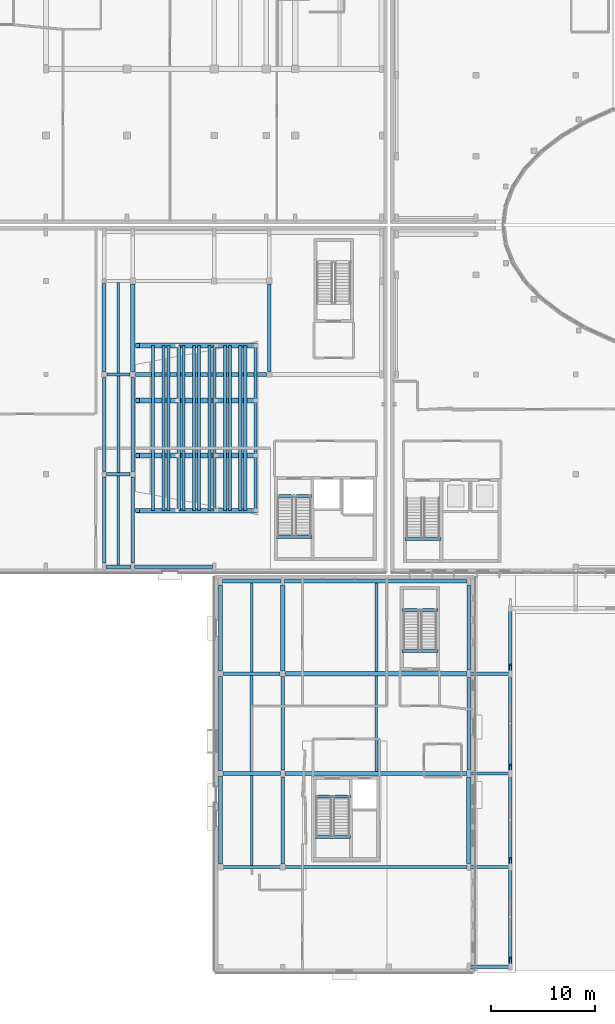
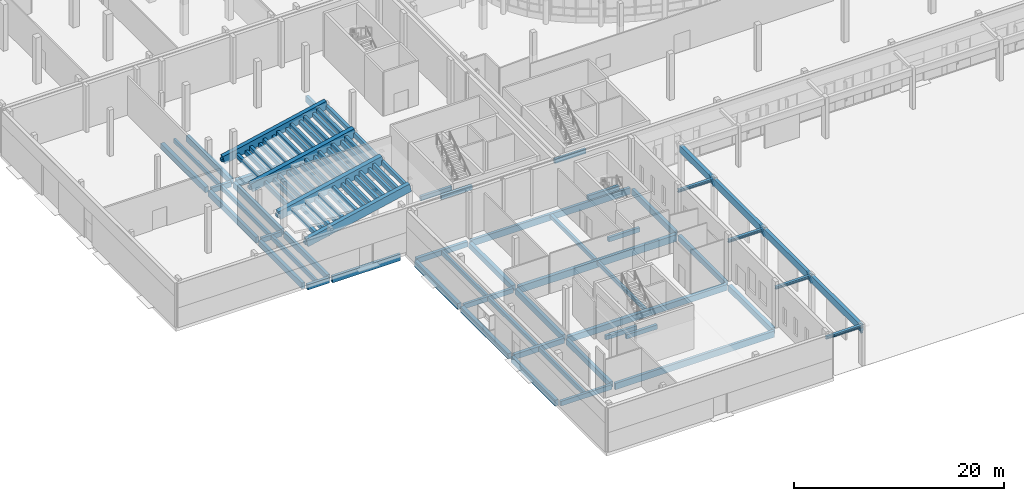
# One storey, part 9 of 84: 70 beams, 4 columns, 4 members.
"""IFC4 building model written with IfcOpenShell, lengths in metres."""

from ifc_helpers import new_model, si_unit, direction, frame, origin, origin_2d, place, context, subcontext, project, spatial, rectangle, hollow_rectangle, i_section, extrude, material, material_profile, profile_set, type_object, element, save


model = new_model("IFC4")

# Units and contexts
model_context = context("Model", 3, precision=1e-05, world=origin(), true_north=direction((0.0, 1.0)))
body_context = subcontext(model_context, "Body", "Model", "MODEL_VIEW")
ifc_project = project(units=[si_unit("LENGTHUNIT", "METRE"), si_unit("AREAUNIT", "SQUARE_METRE"), si_unit("VOLUMEUNIT", "CUBIC_METRE"), si_unit("PLANEANGLEUNIT", "RADIAN"), si_unit("MASSUNIT", "GRAM", prefix="KILO")], contexts=[model_context])

# Site, building, storey
site_placement = place(None, origin())
site = spatial("IfcSite", under=ifc_project, at=site_placement, CompositionType="ELEMENT")
building_placement = place(site_placement, origin())
building = spatial("IfcBuilding", under=site, at=building_placement, Name="Mzevani Central Library", CompositionType="ELEMENT")
storey_placement = place(building_placement, origin())
storey = spatial("IfcBuildingStorey", under=building, at=storey_placement, Name="L00", CompositionType="ELEMENT", Elevation=0.0)

# Columns
ifc_material_1 = material(Name="Concrete C40/50", Category="concrete")
ifc_material_profile_1 = material_profile(ifc_material_1, rectangle(XDim=0.39990234375, YDim=0.39990234375, at=origin_2d()), Name="RC 400x400")
ifc_profile_set_1 = profile_set([ifc_material_profile_1], Name="Concrete C40/50")
column_type = type_object("IfcColumnType", Name="Column RC 400x400", PredefinedType="COLUMN", material=ifc_profile_set_1)
for number, where, z_axis, x_axis, name in (
    (1, (21.800048828125, 48.5, 0.0), (0.0, 0.0, 1.0), (1.0, 0.0, 0.0), "L00 Auditorium Raker Pier 1.1"),
    (2, (21.800048828125, 53.800048828125, 0.0), (0.0, 0.0, 1.0), (1.0, 0.0, 0.0), "L00 Auditorium Raker Pier 2.1"),
    (3, (21.800048828125, 59.10009765625, 0.0), (0.0, 0.0, 1.0), (1.0, 0.0, 0.0), "L00 Auditorium Raker Pier 3.1"),
    (4, (21.800048828125, 64.39990234375, 0.0), (0.0, 0.0, 1.0), (1.0, 0.0, 0.0), "L00 Auditorium Raker Pier 4.1"),
):
    element("IfcColumn", number, at=place(storey_placement, frame(where, z_axis=z_axis, x_axis=x_axis)), inside=storey, type_object=column_type, Name=name, PredefinedType="COLUMN", context=body_context, shape_type="SweptSolid", body=[
        extrude(rectangle(XDim=0.39990234375, YDim=0.39990234375, at=origin_2d()), origin(), (0.0, 0.0, 1.0), 0.300048828125),
    ])

# Beams
ifc_material_profile_2 = material_profile(ifc_material_1, rectangle(XDim=0.449951171875, YDim=0.949951171875, at=origin_2d()), Name="RC RK450x950")
ifc_profile_set_2 = profile_set([ifc_material_profile_2], Name="Concrete C40/50")
beam_type_1 = type_object("IfcBeamType", Name="Auditorium Raker Girder RC 450x950", PredefinedType="BEAM", material=ifc_profile_set_2)
for number, where, z_axis, x_axis, name in (
    (5, (21.800048828125, 48.5, 0.14990234375), (0.976787704397, 0.0, 0.214209664904), (0.0, 1.0, 0.0), "L00 Auditorium Raker Girder 1"),
    (6, (21.800048828125, 64.39990234375, 0.14990234375), (0.976787704397, 0.0, 0.214209664904), (0.0, 1.0, 0.0), "L00 Auditorium Raker Girder 4"),
):
    element("IfcBeam", number, at=place(storey_placement, frame(where, z_axis=z_axis, x_axis=x_axis)), inside=storey, type_object=beam_type_1, Name=name, PredefinedType="BEAM", context=body_context, shape_type="SweptSolid", body=[
        extrude(rectangle(XDim=0.449951171875, YDim=0.949951171875, at=origin_2d()), origin(), (0.0, 0.0, 1.0), 11.6708984375),
    ])
ifc_material_profile_3 = material_profile(ifc_material_1, rectangle(XDim=0.5, YDim=1.0, at=origin_2d()), Name="RC RK500x1000")
ifc_profile_set_3 = profile_set([ifc_material_profile_3], Name="Concrete C40/50")
beam_type_2 = type_object("IfcBeamType", Name="Auditorium Raker Girder RC 500x1000", PredefinedType="BEAM", material=ifc_profile_set_3)
for number, where, z_axis, x_axis, name in (
    (7, (21.800048828125, 53.800048828125, 0.14990234375), (0.976787704397, 0.0, 0.214209664904), (0.0, 1.0, 0.0), "L00 Auditorium Raker Girder 2"),
    (8, (21.800048828125, 59.10009765625, 0.14990234375), (0.976787704397, 0.0, 0.214209664904), (0.0, 1.0, 0.0), "L00 Auditorium Raker Girder 3"),
):
    element("IfcBeam", number, at=place(storey_placement, frame(where, z_axis=z_axis, x_axis=x_axis)), inside=storey, type_object=beam_type_2, Name=name, PredefinedType="BEAM", context=body_context, shape_type="SweptSolid", body=[
        extrude(rectangle(XDim=0.5, YDim=1.0, at=origin_2d()), origin(), (0.0, 0.0, 1.0), 11.6708984375),
    ])
ifc_material_2 = material(Name="Concrete C35/45", Category="concrete")
ifc_material_profile_4 = material_profile(ifc_material_2, rectangle(XDim=0.300048828125, YDim=0.5, at=origin_2d()), Name="RC B300x500")
ifc_profile_set_4 = profile_set([ifc_material_profile_4], Name="Concrete C35/45")
beam_type_3 = type_object("IfcBeamType", Name="Beam RC 300x500", PredefinedType="BEAM", material=ifc_profile_set_4)
for number, where, z_axis, x_axis, name in (
    (9, (23.300048828125, 48.5, 0.22998046875), (0.0, 1.0, 0.0), (-1.0, 0.0, 0.0), "L00 Auditorium Tier 2 Step Beam 1"),
    (10, (24.300048828125, 48.5, 0.22998046875), (0.0, 1.0, 0.0), (-1.0, 0.0, 0.0), "L00 Auditorium Tier 2 Step Beam 2"),
    (11, (24.780029296875, 48.5, 0.590087890625), (0.0, 1.0, 0.0), (-1.0, 0.0, 0.0), "L00 Auditorium Tier 3 Step Beam 1"),
    (12, (25.780029296875, 48.5, 0.590087890625), (0.0, 1.0, 0.0), (-1.0, 0.0, 0.0), "L00 Auditorium Tier 3 Step Beam 2"),
    (13, (26.260009765625, 48.5, 0.949951171875), (0.0, 1.0, 0.0), (-1.0, 0.0, 0.0), "L00 Auditorium Tier 4 Step Beam 1"),
    (14, (27.260009765625, 48.5, 0.949951171875), (0.0, 1.0, 0.0), (-1.0, 0.0, 0.0), "L00 Auditorium Tier 4 Step Beam 2"),
    (15, (27.739990234375, 48.5, 1.31005859375), (0.0, 1.0, 0.0), (-1.0, 0.0, 0.0), "L00 Auditorium Tier 5 Step Beam 1"),
    (16, (28.739990234375, 48.5, 1.31005859375), (0.0, 1.0, 0.0), (-1.0, 0.0, 0.0), "L00 Auditorium Tier 5 Step Beam 2"),
    (17, (29.219970703125, 48.5, 1.669921875), (0.0, 1.0, 0.0), (-1.0, 0.0, 0.0), "L00 Auditorium Tier 6 Step Beam 1"),
    (18, (30.219970703125, 48.5, 1.669921875), (0.0, 1.0, 0.0), (-1.0, 0.0, 0.0), "L00 Auditorium Tier 6 Step Beam 2"),
    (19, (30.699951171875, 48.5, 2.030029296875), (0.0, 1.0, 0.0), (-1.0, 0.0, 0.0), "L00 Auditorium Tier 7 Step Beam 1"),
    (20, (31.699951171875, 48.5, 2.030029296875), (0.0, 1.0, 0.0), (-1.0, 0.0, 0.0), "L00 Auditorium Tier 7 Step Beam 2"),
    (21, (32.179931640625, 48.5, 2.389892578125), (0.0, 1.0, 0.0), (-1.0, 0.0, 0.0), "L00 Auditorium Tier 8 Step Beam 1"),
    (22, (33.179931640625, 48.5, 2.389892578125), (0.0, 1.0, 0.0), (-1.0, 0.0, 0.0), "L00 Auditorium Tier 8 Step Beam 2"),
):
    element("IfcBeam", number, at=place(storey_placement, frame(where, z_axis=z_axis, x_axis=x_axis)), inside=storey, type_object=beam_type_3, Name=name, PredefinedType="BEAM", context=body_context, shape_type="SweptSolid", body=[
        extrude(rectangle(XDim=0.300048828125, YDim=0.5, at=origin_2d()), origin(), (0.0, 0.0, 1.0), 15.89990234375),
    ])
beam_1_placement = place(storey_placement, frame((47.580078125, 45.780029296875, 2.25), z_axis=(1.0, 0.0, 0.0), x_axis=(0.0, 1.0, 0.0)))
element("IfcBeam", 23, at=beam_1_placement, inside=storey, type_object=beam_type_3, Name="L00 Core C1A Reading Hall West Stair Landing Beam 1", PredefinedType="BEAM", context=body_context, shape_type="SweptSolid", body=[
    extrude(rectangle(XDim=0.300048828125, YDim=0.5, at=origin_2d()), origin(), (0.0, 0.0, 1.0), 3.43994140625),
])
for number, where, z_axis, x_axis, name in (
    (24, (38.8798828125, 17.080078125, 2.25), (1.0, 0.0, 0.0), (0.0, 1.0, 0.0), "L00 Core C4A Cultural Wing Core Stair Landing Beam 1"),
    (25, (38.8798828125, 21.0, -0.25), (1.0, 0.0, 0.0), (0.0, 1.0, 0.0), "L00 Core C4A Cultural Wing Core Stair Opening Trimmer Beam"),
):
    element("IfcBeam", number, at=place(storey_placement, frame(where, z_axis=z_axis, x_axis=x_axis)), inside=storey, type_object=beam_type_3, Name=name, PredefinedType="BEAM", context=body_context, shape_type="SweptSolid", body=[
        extrude(rectangle(XDim=0.300048828125, YDim=0.5, at=origin_2d()), origin(), (0.0, 0.0, 1.0), 3.440185546875),
    ])
for number, where, z_axis, x_axis, name in (
    (26, (47.280029296875, 38.919921875, 2.25), (1.0, 0.0, 0.0), (0.0, 1.0, 0.0), "L00 Core C4B Square South Escape Stair Stair Landing Beam 1"),
    (27, (47.280029296875, 35.0, -0.25), (1.0, 0.0, 0.0), (0.0, 1.0, 0.0), "L00 Core C4B Square South Escape Stair Stair Opening Trimmer Beam"),
):
    element("IfcBeam", number, at=place(storey_placement, frame(where, z_axis=z_axis, x_axis=x_axis)), inside=storey, type_object=beam_type_3, Name=name, PredefinedType="BEAM", context=body_context, shape_type="SweptSolid", body=[
        extrude(rectangle(XDim=0.300048828125, YDim=0.5, at=origin_2d()), origin(), (0.0, 0.0, 1.0), 3.43994140625),
    ])
for number, where, z_axis, x_axis, name in (
    (28, (35.179931640625, 45.97998046875, 2.25), (1.0, 0.0, 0.0), (0.0, 1.0, 0.0), "L00 Core C5A Auditorium & Goods Core Stair Landing Beam 1"),
    (29, (35.179931640625, 49.89990234375, -0.25), (1.0, 0.0, 0.0), (0.0, 1.0, 0.0), "L00 Core C5A Auditorium & Goods Core Stair Opening Trimmer Beam"),
):
    element("IfcBeam", number, at=place(storey_placement, frame(where, z_axis=z_axis, x_axis=x_axis)), inside=storey, type_object=beam_type_3, Name=name, PredefinedType="BEAM", context=body_context, shape_type="SweptSolid", body=[
        extrude(rectangle(XDim=0.300048828125, YDim=0.5, at=origin_2d()), origin(), (0.0, 0.0, 1.0), 3.440185546875),
    ])
ifc_material_profile_5 = material_profile(ifc_material_2, rectangle(XDim=0.300048828125, YDim=0.550048828125, at=origin_2d()), Name="RC B300x550")
ifc_profile_set_5 = profile_set([ifc_material_profile_5], Name="Concrete C35/45")
beam_type_4 = type_object("IfcBeamType", Name="Beam RC 300x550", PredefinedType="BEAM", material=ifc_profile_set_5)
beam_2_placement = place(storey_placement, frame((30.0, 14.199951171875, -0.675048828125), z_axis=(1.0, 0.0, 0.0), x_axis=(0.0, 1.0, 0.0)))
element("IfcBeam", 30, at=beam_2_placement, inside=storey, type_object=beam_type_4, Name="L00 V4 Girder B-02 (785)", PredefinedType="BEAM", context=body_context, shape_type="SweptSolid", body=[
    extrude(rectangle(XDim=0.300048828125, YDim=0.550048828125, at=origin_2d()), origin(), (0.0, 0.0, 1.0), 5.60009765625),
])
beam_3_placement = place(storey_placement, frame((30.074951171875, 32.800048828125, -0.675048828125), z_axis=(1.0, 0.0, 0.0), x_axis=(0.0, 1.0, 0.0)))
element("IfcBeam", 31, at=beam_3_placement, inside=storey, type_object=beam_type_4, Name="L00 V4 Girder B-02 (789)", PredefinedType="BEAM", context=body_context, shape_type="SweptSolid", body=[
    extrude(rectangle(XDim=0.300048828125, YDim=0.550048828125, at=origin_2d()), origin(), (0.0, 0.0, 1.0), 5.449951171875),
])
beam_4_placement = place(storey_placement, frame((18.85009765625, 52.0, -0.675048828125), z_axis=(1.0, 0.0, 0.0), x_axis=(0.0, 1.0, 0.0)))
element("IfcBeam", 32, at=beam_4_placement, inside=storey, type_object=beam_type_4, Name="L00 V5 Girder B-02 (901)", PredefinedType="BEAM", context=body_context, shape_type="SweptSolid", body=[
    extrude(rectangle(XDim=0.300048828125, YDim=0.550048828125, at=origin_2d()), origin(), (0.0, 0.0, 1.0), 2.25),
])
ifc_material_profile_6 = material_profile(ifc_material_2, rectangle(XDim=0.300048828125, YDim=0.60009765625, at=origin_2d()), Name="RC B300x600")
ifc_profile_set_6 = profile_set([ifc_material_profile_6], Name="Concrete C35/45")
beam_type_5 = type_object("IfcBeamType", Name="Beam RC 300x600", PredefinedType="BEAM", material=ifc_profile_set_6)
beam_5_placement = place(storey_placement, frame((18.875, 61.60009765625, -0.699951171875), z_axis=(1.0, 0.0, 0.0), x_axis=(0.0, 1.0, 0.0)))
element("IfcBeam", 33, at=beam_5_placement, inside=storey, type_object=beam_type_5, Name="L00 V5 Girder B-03 (902)", PredefinedType="BEAM", context=body_context, shape_type="SweptSolid", body=[
    extrude(rectangle(XDim=0.300048828125, YDim=0.60009765625, at=origin_2d()), origin(), (0.0, 0.0, 1.0), 2.199951171875),
])
ifc_material_profile_7 = material_profile(ifc_material_2, rectangle(XDim=0.35009765625, YDim=0.60009765625, at=origin_2d()), Name="RC B350x600")
ifc_profile_set_7 = profile_set([ifc_material_profile_7], Name="Concrete C35/45")
beam_type_6 = type_object("IfcBeamType", Name="Beam RC 350x600", PredefinedType="BEAM", material=ifc_profile_set_7)
beam_6_placement = place(storey_placement, frame((30.050048828125, 23.199951171875, -0.699951171875), z_axis=(1.0, 0.0, 0.0), x_axis=(0.0, 1.0, 0.0)))
element("IfcBeam", 34, at=beam_6_placement, inside=storey, type_object=beam_type_6, Name="L00 V4 Girder B-04 (787)", PredefinedType="BEAM", context=body_context, shape_type="SweptSolid", body=[
    extrude(rectangle(XDim=0.35009765625, YDim=0.60009765625, at=origin_2d()), origin(), (0.0, 0.0, 1.0), 5.52490234375),
])
beam_7_placement = place(storey_placement, frame((29.97509765625, 41.699951171875, -0.699951171875), z_axis=(1.0, 0.0, 0.0), x_axis=(0.0, 1.0, 0.0)))
element("IfcBeam", 35, at=beam_7_placement, inside=storey, type_object=beam_type_6, Name="L00 V4 Girder B-04 (791)", PredefinedType="BEAM", context=body_context, shape_type="SweptSolid", body=[
    extrude(rectangle(XDim=0.35009765625, YDim=0.60009765625, at=origin_2d()), origin(), (0.0, 0.0, 1.0), 5.64990234375),
])
beam_8_placement = place(storey_placement, frame((18.77490234375, 43.10009765625, -0.699951171875), z_axis=(1.0, 0.0, 0.0), x_axis=(0.0, 1.0, 0.0)))
element("IfcBeam", 36, at=beam_8_placement, inside=storey, type_object=beam_type_6, Name="L00 V5 Girder B-04 (899)", PredefinedType="BEAM", context=body_context, shape_type="SweptSolid", body=[
    extrude(rectangle(XDim=0.35009765625, YDim=0.60009765625, at=origin_2d()), origin(), (0.0, 0.0, 1.0), 2.400146484375),
])
ifc_material_profile_8 = material_profile(ifc_material_2, rectangle(XDim=0.35009765625, YDim=0.64990234375, at=origin_2d()), Name="RC B350x650")
ifc_profile_set_8 = profile_set([ifc_material_profile_8], Name="Concrete C35/45")
beam_type_7 = type_object("IfcBeamType", Name="Beam RC 350x650", PredefinedType="BEAM", material=ifc_profile_set_8)
beam_9_placement = place(storey_placement, frame((35.800048828125, 14.5, -0.72509765625), z_axis=(0.0, 1.0, 0.0), x_axis=(-1.0, 0.0, 0.0)))
element("IfcBeam", 37, at=beam_9_placement, inside=storey, type_object=beam_type_7, Name="L00 V4 Frame Beam B-05 (796)", PredefinedType="BEAM", context=body_context, shape_type="SweptSolid", body=[
    extrude(rectangle(XDim=0.35009765625, YDim=0.64990234375, at=origin_2d()), origin(), (0.0, 0.0, 1.0), 8.375),
])
beam_10_placement = place(storey_placement, frame((53.699951171875, 23.550048828125, -0.72509765625), z_axis=(0.0, 1.0, 0.0), x_axis=(-1.0, 0.0, 0.0)))
element("IfcBeam", 38, at=beam_10_placement, inside=storey, type_object=beam_type_7, Name="L00 V4 Frame Beam B-05 (800)", PredefinedType="BEAM", context=body_context, shape_type="SweptSolid", body=[
    extrude(rectangle(XDim=0.35009765625, YDim=0.64990234375, at=origin_2d()), origin(), (0.0, 0.0, 1.0), 8.89990234375),
])
for number, where, z_axis, x_axis, name in (
    (39, (18.60009765625, 43.449951171875, -0.72509765625), (0.0, 1.0, 0.0), (-1.0, 0.0, 0.0), "L00 V5 Frame Beam B-05 (912)"),
    (40, (21.35009765625, 43.449951171875, -0.72509765625), (0.0, 1.0, 0.0), (-1.0, 0.0, 0.0), "L00 V5 Frame Beam B-05 (916)"),
):
    element("IfcBeam", number, at=place(storey_placement, frame(where, z_axis=z_axis, x_axis=x_axis)), inside=storey, type_object=beam_type_7, Name=name, PredefinedType="BEAM", context=body_context, shape_type="SweptSolid", body=[
        extrude(rectangle(XDim=0.35009765625, YDim=0.64990234375, at=origin_2d()), origin(), (0.0, 0.0, 1.0), 8.300048828125),
    ])
ifc_material_profile_9 = material_profile(ifc_material_2, rectangle(XDim=0.35009765625, YDim=0.699951171875, at=origin_2d()), Name="RC B350x700")
ifc_profile_set_9 = profile_set([ifc_material_profile_9], Name="Concrete C35/45")
beam_type_8 = type_object("IfcBeamType", Name="Beam RC 350x700", PredefinedType="BEAM", material=ifc_profile_set_9)
beam_11_placement = place(storey_placement, frame((29.800048828125, 14.5, -0.75), z_axis=(0.0, 1.0, 0.0), x_axis=(-1.0, 0.0, 0.0)))
element("IfcBeam", 41, at=beam_11_placement, inside=storey, type_object=beam_type_8, Name="L00 V4 Frame Beam B-06 (793)", PredefinedType="BEAM", context=body_context, shape_type="SweptSolid", body=[
    extrude(rectangle(XDim=0.35009765625, YDim=0.699951171875, at=origin_2d()), origin(), (0.0, 0.0, 1.0), 8.449951171875),
])
beam_12_placement = place(storey_placement, frame((35.800048828125, 23.52490234375, -0.75), z_axis=(0.0, 1.0, 0.0), x_axis=(-1.0, 0.0, 0.0)))
element("IfcBeam", 42, at=beam_12_placement, inside=storey, type_object=beam_type_8, Name="L00 V4 Frame Beam B-06 (797)", PredefinedType="BEAM", context=body_context, shape_type="SweptSolid", body=[
    extrude(rectangle(XDim=0.35009765625, YDim=0.699951171875, at=origin_2d()), origin(), (0.0, 0.0, 1.0), 9.0),
])
beam_13_placement = place(storey_placement, frame((53.699951171875, 33.14990234375, -0.75), z_axis=(0.0, 1.0, 0.0), x_axis=(-1.0, 0.0, 0.0)))
element("IfcBeam", 43, at=beam_13_placement, inside=storey, type_object=beam_type_8, Name="L00 V4 Frame Beam B-06 (801)", PredefinedType="BEAM", context=body_context, shape_type="SweptSolid", body=[
    extrude(rectangle(XDim=0.35009765625, YDim=0.699951171875, at=origin_2d()), origin(), (0.0, 0.0, 1.0), 8.2001953125),
])
for number, where, z_axis, x_axis, name in (
    (44, (18.60009765625, 52.25, -0.75), (0.0, 1.0, 0.0), (-1.0, 0.0, 0.0), "L00 V5 Frame Beam B-06 (913)"),
    (45, (21.35009765625, 52.25, -0.75), (0.0, 1.0, 0.0), (-1.0, 0.0, 0.0), "L00 V5 Frame Beam B-06 (917)"),
):
    element("IfcBeam", number, at=place(storey_placement, frame(where, z_axis=z_axis, x_axis=x_axis)), inside=storey, type_object=beam_type_8, Name=name, PredefinedType="BEAM", context=body_context, shape_type="SweptSolid", body=[
        extrude(rectangle(XDim=0.35009765625, YDim=0.699951171875, at=origin_2d()), origin(), (0.0, 0.0, 1.0), 9.074951171875),
    ])
beam_14_placement = place(storey_placement, frame((34.5, 61.875, -0.75), z_axis=(0.0, 1.0, 0.0), x_axis=(-1.0, 0.0, 0.0)))
element("IfcBeam", 46, at=beam_14_placement, inside=storey, type_object=beam_type_8, Name="L00 V5 Frame Beam B-06 (921)", PredefinedType="BEAM", context=body_context, shape_type="SweptSolid", body=[
    extrude(rectangle(XDim=0.35009765625, YDim=0.699951171875, at=origin_2d()), origin(), (0.0, 0.0, 1.0), 8.425048828125),
])
ifc_material_profile_10 = material_profile(ifc_material_2, rectangle(XDim=0.39990234375, YDim=0.64990234375, at=origin_2d()), Name="RC B400x650")
ifc_profile_set_10 = profile_set([ifc_material_profile_10], Name="Concrete C35/45")
beam_type_9 = type_object("IfcBeamType", Name="Beam RC 400x650", PredefinedType="BEAM", material=ifc_profile_set_10)
beam_15_placement = place(storey_placement, frame((29.800048828125, 23.449951171875, -0.72509765625), z_axis=(0.0, 1.0, 0.0), x_axis=(-1.0, 0.0, 0.0)))
element("IfcBeam", 47, at=beam_15_placement, inside=storey, type_object=beam_type_9, Name="L00 V4 Frame Beam B-07 (794)", PredefinedType="BEAM", context=body_context, shape_type="SweptSolid", body=[
    extrude(rectangle(XDim=0.39990234375, YDim=0.64990234375, at=origin_2d()), origin(), (0.0, 0.0, 1.0), 9.074951171875),
])
beam_16_placement = place(storey_placement, frame((35.800048828125, 33.074951171875, -0.72509765625), z_axis=(0.0, 1.0, 0.0), x_axis=(-1.0, 0.0, 0.0)))
element("IfcBeam", 48, at=beam_16_placement, inside=storey, type_object=beam_type_9, Name="L00 V4 Frame Beam B-07 (798)", PredefinedType="BEAM", context=body_context, shape_type="SweptSolid", body=[
    extrude(rectangle(XDim=0.39990234375, YDim=0.64990234375, at=origin_2d()), origin(), (0.0, 0.0, 1.0), 8.275146484375),
])
beam_17_placement = place(storey_placement, frame((18.60009765625, 61.875, -0.72509765625), z_axis=(0.0, 1.0, 0.0), x_axis=(-1.0, 0.0, 0.0)))
element("IfcBeam", 49, at=beam_17_placement, inside=storey, type_object=beam_type_9, Name="L00 V5 Frame Beam B-07 (914)", PredefinedType="BEAM", context=body_context, shape_type="SweptSolid", body=[
    extrude(rectangle(XDim=0.39990234375, YDim=0.64990234375, at=origin_2d()), origin(), (0.0, 0.0, 1.0), 8.5),
])
beam_18_placement = place(storey_placement, frame((21.35009765625, 61.875, -0.72509765625), z_axis=(0.0, 1.0, 0.0), x_axis=(-1.0, 0.0, 0.0)))
element("IfcBeam", 50, at=beam_18_placement, inside=storey, type_object=beam_type_9, Name="L00 V5 Frame Beam B-07 (918)", PredefinedType="BEAM", context=body_context, shape_type="SweptSolid", body=[
    extrude(rectangle(XDim=0.39990234375, YDim=0.64990234375, at=origin_2d()), origin(), (0.0, 0.0, 1.0), 8.425048828125),
])
ifc_material_profile_11 = material_profile(ifc_material_2, rectangle(XDim=0.39990234375, YDim=0.699951171875, at=origin_2d()), Name="RC B400x700")
ifc_profile_set_11 = profile_set([ifc_material_profile_11], Name="Concrete C35/45")
beam_type_10 = type_object("IfcBeamType", Name="Beam RC 400x700", PredefinedType="BEAM", material=ifc_profile_set_11)
beam_19_placement = place(storey_placement, frame((36.02490234375, 23.199951171875, -0.75), z_axis=(1.0, 0.0, 0.0), x_axis=(0.0, 1.0, 0.0)))
element("IfcBeam", 51, at=beam_19_placement, inside=storey, type_object=beam_type_10, Name="L00 V4 Girder B-08 (788)", PredefinedType="BEAM", context=body_context, shape_type="SweptSolid", body=[
    extrude(rectangle(XDim=0.39990234375, YDim=0.699951171875, at=origin_2d()), origin(), (0.0, 0.0, 1.0), 17.5),
])
beam_20_placement = place(storey_placement, frame((29.800048828125, 33.074951171875, -0.75), z_axis=(0.0, 1.0, 0.0), x_axis=(-1.0, 0.0, 0.0)))
element("IfcBeam", 52, at=beam_20_placement, inside=storey, type_object=beam_type_10, Name="L00 V4 Frame Beam B-08 (795)", PredefinedType="BEAM", context=body_context, shape_type="SweptSolid", body=[
    extrude(rectangle(XDim=0.39990234375, YDim=0.699951171875, at=origin_2d()), origin(), (0.0, 0.0, 1.0), 8.275146484375),
])
beam_21_placement = place(storey_placement, frame((53.699951171875, 14.550048828125, -0.75), z_axis=(0.0, 1.0, 0.0), x_axis=(-1.0, 0.0, 0.0)))
element("IfcBeam", 53, at=beam_21_placement, inside=storey, type_object=beam_type_10, Name="L00 V4 Frame Beam B-08 (799)", PredefinedType="BEAM", context=body_context, shape_type="SweptSolid", body=[
    extrude(rectangle(XDim=0.39990234375, YDim=0.699951171875, at=origin_2d()), origin(), (0.0, 0.0, 1.0), 8.300048828125),
])
ifc_material_profile_12 = material_profile(ifc_material_2, rectangle(XDim=0.39990234375, YDim=0.800048828125, at=origin_2d()), Name="RC B400x800")
ifc_profile_set_12 = profile_set([ifc_material_profile_12], Name="Concrete C35/45")
beam_type_11 = type_object("IfcBeamType", Name="Beam RC 400x800", PredefinedType="BEAM", material=ifc_profile_set_12)
beam_22_placement = place(storey_placement, frame((36.074951171875, 32.800048828125, -0.800048828125), z_axis=(1.0, 0.0, 0.0), x_axis=(0.0, 1.0, 0.0)))
element("IfcBeam", 54, at=beam_22_placement, inside=storey, type_object=beam_type_11, Name="L00 V4 Girder B-10 (790)", PredefinedType="BEAM", context=body_context, shape_type="SweptSolid", body=[
    extrude(rectangle(XDim=0.39990234375, YDim=0.800048828125, at=origin_2d()), origin(), (0.0, 0.0, 1.0), 17.449951171875),
])
beam_23_placement = place(storey_placement, frame((21.625, 61.60009765625, -0.800048828125), z_axis=(1.0, 0.0, 0.0), x_axis=(0.0, 1.0, 0.0)))
element("IfcBeam", 55, at=beam_23_placement, inside=storey, type_object=beam_type_11, Name="L00 V5 Girder B-10 (903)", PredefinedType="BEAM", context=body_context, shape_type="SweptSolid", body=[
    extrude(rectangle(XDim=0.39990234375, YDim=0.800048828125, at=origin_2d()), origin(), (0.0, 0.0, 1.0), 12.60009765625),
])

# Members
ifc_material_3 = material(Name="Steel S355J2", Category="steel")
ifc_material_profile_13 = material_profile(ifc_material_3, hollow_rectangle(XDim=0.199951171875, YDim=0.199951171875, WallThickness=0.010009765625, at=origin_2d()), Name="SHS 200x200x10.0")
ifc_profile_set_13 = profile_set([ifc_material_profile_13], Name="Steel S355J2")
member_type = type_object("IfcMemberType", Name="Canopy Outrigger Strut SHS 200x200", PredefinedType="POST", material=ifc_profile_set_13)
member_1_placement = place(storey_placement, frame((57.699951171875, 4.60009765625, 3.60009765625), z_axis=(0.0, 0.666750067418, 0.7452813882), x_axis=(-1.0, 0.0, 0.0)))
element("IfcMember", 56, at=member_1_placement, inside=storey, type_object=member_type, Name="L00 Colonnade Outrigger Strut 1", PredefinedType="POST", context=body_context, shape_type="SweptSolid", body=[
    extrude(hollow_rectangle(XDim=0.199951171875, YDim=0.199951171875, WallThickness=0.010009765625, at=origin_2d()), origin(), (0.0, 0.0, 1.0), 1.274658203125),
])
for number, where, z_axis, x_axis, name in (
    (57, (57.699951171875, 14.199951171875, 3.60009765625), (0.0, 0.666856436743, 0.745186213489), (-1.0, 0.0, 0.0), "L00 Colonnade Outrigger Strut 2"),
    (58, (57.699951171875, 23.199951171875, 3.60009765625), (0.0, 0.666856436743, 0.745186213489), (-1.0, 0.0, 0.0), "L00 Colonnade Outrigger Strut 3"),
):
    element("IfcMember", number, at=place(storey_placement, frame(where, z_axis=z_axis, x_axis=x_axis)), inside=storey, type_object=member_type, Name=name, PredefinedType="POST", context=body_context, shape_type="SweptSolid", body=[
        extrude(hollow_rectangle(XDim=0.199951171875, YDim=0.199951171875, WallThickness=0.010009765625, at=origin_2d()), origin(), (0.0, 0.0, 1.0), 1.27490234375),
    ])
member_2_placement = place(storey_placement, frame((57.699951171875, 32.800048828125, 3.60009765625), z_axis=(0.0, 0.666750067418, 0.7452813882), x_axis=(-1.0, 0.0, 0.0)))
element("IfcMember", 59, at=member_2_placement, inside=storey, type_object=member_type, Name="L00 Colonnade Outrigger Strut 4", PredefinedType="POST", context=body_context, shape_type="SweptSolid", body=[
    extrude(hollow_rectangle(XDim=0.199951171875, YDim=0.199951171875, WallThickness=0.010009765625, at=origin_2d()), origin(), (0.0, 0.0, 1.0), 1.274658203125),
])

# Beams
ifc_material_profile_14 = material_profile(ifc_material_3, i_section(OverallWidth=0.300048828125, OverallDepth=0.31005859375, WebThickness=0.009033203125, FlangeThickness=0.015380859375, FilletRadius=0.027099609375, at=origin_2d()), Name="HEA 320")
ifc_profile_set_14 = profile_set([ifc_material_profile_14], Name="Steel S355J2")
beam_type_12 = type_object("IfcBeamType", Name="Canopy Tie Beam HEA 320", PredefinedType="BEAM", material=ifc_profile_set_14)
for number, where, z_axis, x_axis, name in (
    (60, (53.699951171875, 4.60009765625, 4.485107421875), (1.0, 0.0, 0.0), (0.0, 1.0, 0.0), "L00 West Colonnade Tie Beam 1"),
    (61, (53.699951171875, 14.199951171875, 4.485107421875), (1.0, 0.0, 0.0), (0.0, 1.0, 0.0), "L00 West Colonnade Tie Beam 2"),
    (62, (53.699951171875, 23.199951171875, 4.485107421875), (1.0, 0.0, 0.0), (0.0, 1.0, 0.0), "L00 West Colonnade Tie Beam 3"),
    (63, (53.699951171875, 32.800048828125, 4.485107421875), (1.0, 0.0, 0.0), (0.0, 1.0, 0.0), "L00 West Colonnade Tie Beam 4"),
):
    element("IfcBeam", number, at=place(storey_placement, frame(where, z_axis=z_axis, x_axis=x_axis)), inside=storey, type_object=beam_type_12, Name=name, PredefinedType="BEAM", context=body_context, shape_type="SweptSolid", body=[
        extrude(i_section(OverallWidth=0.300048828125, OverallDepth=0.31005859375, WebThickness=0.009033203125, FlangeThickness=0.015380859375, FilletRadius=0.027099609375, at=origin_2d()), origin(), (0.0, 0.0, 1.0), 4.0),
    ])
ifc_material_4 = material(Name="Precast concrete C40/50", Category="concrete")
ifc_material_profile_15 = material_profile(ifc_material_4, rectangle(XDim=0.35009765625, YDim=0.800048828125, at=origin_2d()), Name="RC SP350x800")
ifc_profile_set_15 = profile_set([ifc_material_profile_15], Name="Precast concrete C40/50")
beam_type_13 = type_object("IfcBeamType", Name="Colonnade Fascia Beam RC 350x800", PredefinedType="SPANDREL", material=ifc_profile_set_15)
beam_24_placement = place(storey_placement, frame((57.699951171875, 4.60009765625, 4.239990234375), z_axis=(0.0, 1.0, 0.0), x_axis=(-1.0, 0.0, 0.0)))
element("IfcBeam", 64, at=beam_24_placement, inside=storey, type_object=beam_type_13, Name="L00 West Colonnade Fascia Beam 1", PredefinedType="SPANDREL", context=body_context, shape_type="SweptSolid", body=[
    extrude(rectangle(XDim=0.35009765625, YDim=0.800048828125, at=origin_2d()), origin(), (0.0, 0.0, 1.0), 9.599853515625),
])
beam_25_placement = place(storey_placement, frame((57.699951171875, 14.199951171875, 4.239990234375), z_axis=(0.0, 1.0, 0.0), x_axis=(-1.0, 0.0, 0.0)))
element("IfcBeam", 65, at=beam_25_placement, inside=storey, type_object=beam_type_13, Name="L00 West Colonnade Fascia Beam 2", PredefinedType="SPANDREL", context=body_context, shape_type="SweptSolid", body=[
    extrude(rectangle(XDim=0.35009765625, YDim=0.800048828125, at=origin_2d()), origin(), (0.0, 0.0, 1.0), 9.0),
])
beam_26_placement = place(storey_placement, frame((57.699951171875, 23.199951171875, 4.239990234375), z_axis=(0.0, 1.0, 0.0), x_axis=(-1.0, 0.0, 0.0)))
element("IfcBeam", 66, at=beam_26_placement, inside=storey, type_object=beam_type_13, Name="L00 West Colonnade Fascia Beam 3", PredefinedType="SPANDREL", context=body_context, shape_type="SweptSolid", body=[
    extrude(rectangle(XDim=0.35009765625, YDim=0.800048828125, at=origin_2d()), origin(), (0.0, 0.0, 1.0), 9.60009765625),
])
beam_27_placement = place(storey_placement, frame((57.699951171875, 32.800048828125, 4.239990234375), z_axis=(0.0, 1.0, 0.0), x_axis=(-1.0, 0.0, 0.0)))
element("IfcBeam", 67, at=beam_27_placement, inside=storey, type_object=beam_type_13, Name="L00 West Colonnade Fascia Beam 4", PredefinedType="SPANDREL", context=body_context, shape_type="SweptSolid", body=[
    extrude(rectangle(XDim=0.35009765625, YDim=0.800048828125, at=origin_2d()), origin(), (0.0, 0.0, 1.0), 6.300048828125),
])
ifc_material_profile_16 = material_profile(ifc_material_4, rectangle(XDim=0.300048828125, YDim=0.75, at=origin_2d()), Name="RC SP300x750")
ifc_profile_set_16 = profile_set([ifc_material_profile_16], Name="Precast concrete C40/50")
beam_type_14 = type_object("IfcBeamType", Name="Edge Spandrel Beam RC 300x750", PredefinedType="SPANDREL", material=ifc_profile_set_16)
beam_28_placement = place(storey_placement, frame((36.0, 14.199951171875, -0.77490234375), z_axis=(1.0, 0.0, 0.0), x_axis=(0.0, 1.0, 0.0)))
element("IfcBeam", 68, at=beam_28_placement, inside=storey, type_object=beam_type_14, Name="L00 V4 Girder SP-01 (786)", PredefinedType="SPANDREL", context=body_context, shape_type="SweptSolid", body=[
    extrude(rectangle(XDim=0.300048828125, YDim=0.75, at=origin_2d()), origin(), (0.0, 0.0, 1.0), 17.52490234375),
])
beam_29_placement = place(storey_placement, frame((35.97509765625, 41.699951171875, -0.77490234375), z_axis=(1.0, 0.0, 0.0), x_axis=(0.0, 1.0, 0.0)))
element("IfcBeam", 69, at=beam_29_placement, inside=storey, type_object=beam_type_14, Name="L00 V4 Girder SP-01 (792)", PredefinedType="SPANDREL", context=body_context, shape_type="SweptSolid", body=[
    extrude(rectangle(XDim=0.300048828125, YDim=0.75, at=origin_2d()), origin(), (0.0, 0.0, 1.0), 17.5498046875),
])
beam_30_placement = place(storey_placement, frame((21.52490234375, 43.10009765625, -0.77490234375), z_axis=(1.0, 0.0, 0.0), x_axis=(0.0, 1.0, 0.0)))
element("IfcBeam", 70, at=beam_30_placement, inside=storey, type_object=beam_type_14, Name="L00 V5 Girder SP-01 (900)", PredefinedType="SPANDREL", context=body_context, shape_type="SweptSolid", body=[
    extrude(rectangle(XDim=0.300048828125, YDim=0.75, at=origin_2d()), origin(), (0.0, 0.0, 1.0), 7.5),
])
ifc_material_profile_17 = material_profile(ifc_material_2, rectangle(XDim=0.25, YDim=0.449951171875, at=origin_2d()), Name="RC J250x450")
ifc_profile_set_17 = profile_set([ifc_material_profile_17], Name="Concrete C35/45")
beam_type_15 = type_object("IfcBeamType", Name="Floor Joist RC 250x450", PredefinedType="JOIST", material=ifc_profile_set_17)
beam_31_placement = place(storey_placement, frame((44.800048828125, 23.39990234375, -0.625), z_axis=(0.0, 1.0, 0.0), x_axis=(-1.0, 0.0, 0.0)))
element("IfcBeam", 71, at=beam_31_placement, inside=storey, type_object=beam_type_15, Name="L00 V4 Floor Joist BJ-01 (804)", PredefinedType="JOIST", context=body_context, shape_type="SweptSolid", body=[
    extrude(rectangle(XDim=0.25, YDim=0.449951171875, at=origin_2d()), origin(), (0.0, 0.0, 1.0), 9.2001953125),
])
beam_32_placement = place(storey_placement, frame((19.97509765625, 61.75, -0.625), z_axis=(0.0, 1.0, 0.0), x_axis=(-1.0, 0.0, 0.0)))
element("IfcBeam", 72, at=beam_32_placement, inside=storey, type_object=beam_type_15, Name="L00 V5 Floor Joist BJ-01 (927)", PredefinedType="JOIST", context=body_context, shape_type="SweptSolid", body=[
    extrude(rectangle(XDim=0.25, YDim=0.449951171875, at=origin_2d()), origin(), (0.0, 0.0, 1.0), 8.699951171875),
])
ifc_material_profile_18 = material_profile(ifc_material_2, rectangle(XDim=0.25, YDim=0.5, at=origin_2d()), Name="RC J250x500")
ifc_profile_set_18 = profile_set([ifc_material_profile_18], Name="Concrete C35/45")
beam_type_16 = type_object("IfcBeamType", Name="Floor Joist RC 250x500", PredefinedType="JOIST", material=ifc_profile_set_18)
beam_33_placement = place(storey_placement, frame((32.8125, 14.35009765625, -0.64990234375), z_axis=(0.0, 1.0, 0.0), x_axis=(-1.0, 0.0, 0.0)))
element("IfcBeam", 73, at=beam_33_placement, inside=storey, type_object=beam_type_16, Name="L00 V4 Floor Joist BJ-02 (802)", PredefinedType="JOIST", context=body_context, shape_type="SweptSolid", body=[
    extrude(rectangle(XDim=0.25, YDim=0.5, at=origin_2d()), origin(), (0.0, 0.0, 1.0), 8.6748046875),
])
beam_34_placement = place(storey_placement, frame((32.800048828125, 32.949951171875, -0.64990234375), z_axis=(0.0, 1.0, 0.0), x_axis=(-1.0, 0.0, 0.0)))
element("IfcBeam", 74, at=beam_34_placement, inside=storey, type_object=beam_type_16, Name="L00 V4 Floor Joist BJ-02 (805)", PredefinedType="JOIST", context=body_context, shape_type="SweptSolid", body=[
    extrude(rectangle(XDim=0.25, YDim=0.5, at=origin_2d()), origin(), (0.0, 0.0, 1.0), 8.574951171875),
])
beam_35_placement = place(storey_placement, frame((19.97509765625, 43.27490234375, -0.64990234375), z_axis=(0.0, 1.0, 0.0), x_axis=(-1.0, 0.0, 0.0)))
element("IfcBeam", 75, at=beam_35_placement, inside=storey, type_object=beam_type_16, Name="L00 V5 Floor Joist BJ-02 (925)", PredefinedType="JOIST", context=body_context, shape_type="SweptSolid", body=[
    extrude(rectangle(XDim=0.25, YDim=0.5, at=origin_2d()), origin(), (0.0, 0.0, 1.0), 8.5751953125),
])
ifc_material_profile_19 = material_profile(ifc_material_2, rectangle(XDim=0.300048828125, YDim=0.449951171875, at=origin_2d()), Name="RC J300x450")
ifc_profile_set_19 = profile_set([ifc_material_profile_19], Name="Concrete C35/45")
beam_type_17 = type_object("IfcBeamType", Name="Floor Joist RC 300x450", PredefinedType="JOIST", material=ifc_profile_set_19)
beam_36_placement = place(storey_placement, frame((32.800048828125, 23.375, -0.625), z_axis=(0.0, 1.0, 0.0), x_axis=(-1.0, 0.0, 0.0)))
element("IfcBeam", 76, at=beam_36_placement, inside=storey, type_object=beam_type_17, Name="L00 V4 Floor Joist BJ-03 (803)", PredefinedType="JOIST", context=body_context, shape_type="SweptSolid", body=[
    extrude(rectangle(XDim=0.300048828125, YDim=0.449951171875, at=origin_2d()), origin(), (0.0, 0.0, 1.0), 9.27490234375),
])
beam_37_placement = place(storey_placement, frame((44.800048828125, 33.0, -0.625), z_axis=(0.0, 1.0, 0.0), x_axis=(-1.0, 0.0, 0.0)))
element("IfcBeam", 77, at=beam_37_placement, inside=storey, type_object=beam_type_17, Name="L00 V4 Floor Joist BJ-03 (806)", PredefinedType="JOIST", context=body_context, shape_type="SweptSolid", body=[
    extrude(rectangle(XDim=0.300048828125, YDim=0.449951171875, at=origin_2d()), origin(), (0.0, 0.0, 1.0), 8.550048828125),
])
beam_38_placement = place(storey_placement, frame((19.97509765625, 52.14990234375, -0.625), z_axis=(0.0, 1.0, 0.0), x_axis=(-1.0, 0.0, 0.0)))
element("IfcBeam", 78, at=beam_38_placement, inside=storey, type_object=beam_type_17, Name="L00 V5 Floor Joist BJ-03 (926)", PredefinedType="JOIST", context=body_context, shape_type="SweptSolid", body=[
    extrude(rectangle(XDim=0.300048828125, YDim=0.449951171875, at=origin_2d()), origin(), (0.0, 0.0, 1.0), 9.300048828125),
])

save(model, "model.ifc")
